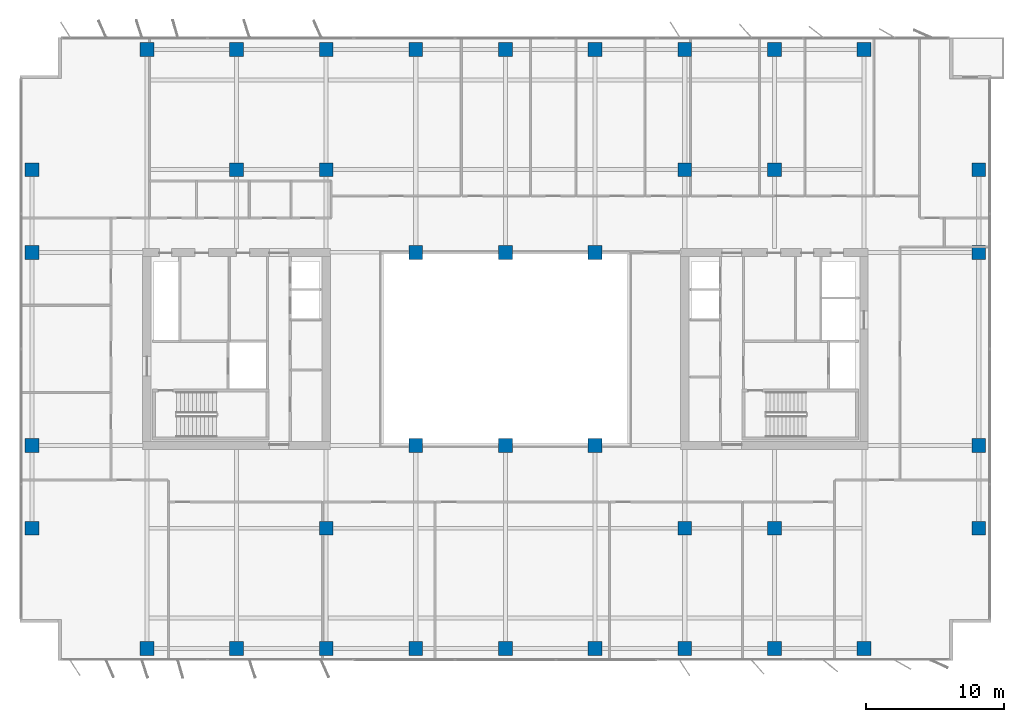
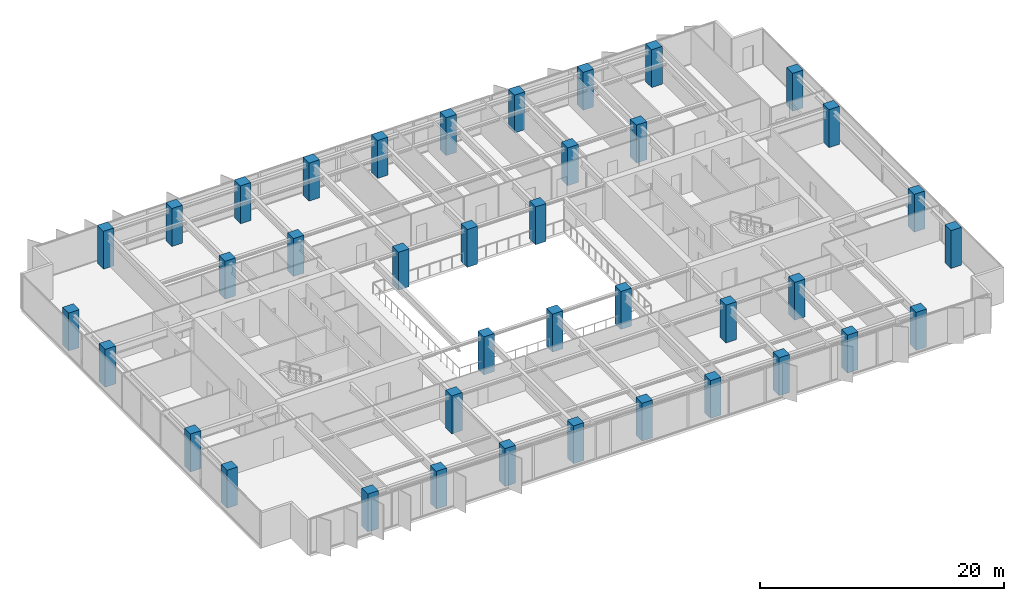
# One storey, part 1 of 22: 39 columns.
"""IFC4 building model written with IfcOpenShell, lengths in metres."""

from ifc_helpers import new_model, si_unit, direction, frame, origin, origin_2d, place, context, subcontext, project, spatial, rectangle, extrude, material, material_profile, profile_set, type_object, element, save


model = new_model("IFC4")

# Units and contexts
model_context = context("Model", 3, precision=1e-05, world=origin(), true_north=direction((0.0, 1.0)))
body_context = subcontext(model_context, "Body", "Model", "MODEL_VIEW")
ifc_project = project(units=[si_unit("LENGTHUNIT", "METRE"), si_unit("AREAUNIT", "SQUARE_METRE"), si_unit("VOLUMEUNIT", "CUBIC_METRE"), si_unit("PLANEANGLEUNIT", "RADIAN"), si_unit("MASSUNIT", "GRAM", prefix="KILO")], contexts=[model_context])

# Site, building, storey
site_placement = place(None, origin())
site = spatial("IfcSite", under=ifc_project, at=site_placement, CompositionType="ELEMENT")
building_placement = place(site_placement, origin())
building = spatial("IfcBuilding", under=site, at=building_placement, Name="Putna Gate Headquarters", CompositionType="ELEMENT")
storey_placement = place(building_placement, frame((0.0, 0.0, 193.60009765625)))
storey = spatial("IfcBuildingStorey", under=building, at=storey_placement, Name="L48", CompositionType="ELEMENT", Elevation=193.60009765625)

# Columns
ifc_material = material(Name="Concrete C50/60", Category="concrete")
ifc_material_profile_1 = material_profile(ifc_material, rectangle(XDim=1.0, YDim=1.0, at=origin_2d()), Name="Concrete C50/60")
ifc_profile_set_1 = profile_set([ifc_material_profile_1], Name="Concrete C50/60")
column_type_1 = type_object("IfcColumnType", Name="COL-RC1000-EXT", PredefinedType="COLUMN", material=ifc_profile_set_1)
for number, where, z_axis, x_axis, name in (
    (1, (13.0, 4.280029296875, 0.0), (0.0, 0.0, 1.0), (1.0, 0.0, 0.0), "L48 Column CP-S13"),
    (2, (13.0, 47.719970703125, 0.0), (0.0, 0.0, 1.0), (1.0, 0.0, 0.0), "L48 Column CP-N13"),
    (3, (19.5, 4.280029296875, 0.0), (0.0, 0.0, 1.0), (1.0, 0.0, 0.0), "L48 Column CP-S19"),
    (4, (19.5, 47.719970703125, 0.0), (0.0, 0.0, 1.0), (1.0, 0.0, 0.0), "L48 Column CP-N19"),
    (5, (26.0, 4.280029296875, 0.0), (0.0, 0.0, 1.0), (1.0, 0.0, 0.0), "L48 Column CP-S26"),
    (6, (26.0, 47.719970703125, 0.0), (0.0, 0.0, 1.0), (1.0, 0.0, 0.0), "L48 Column CP-N26"),
    (7, (32.5, 4.280029296875, 0.0), (0.0, 0.0, 1.0), (1.0, 0.0, 0.0), "L48 Column CP-S32"),
    (8, (32.5, 47.719970703125, 0.0), (0.0, 0.0, 1.0), (1.0, 0.0, 0.0), "L48 Column CP-N32"),
    (9, (39.0, 4.280029296875, 0.0), (0.0, 0.0, 1.0), (1.0, 0.0, 0.0), "L48 Column CP-S39"),
    (10, (39.0, 47.719970703125, 0.0), (0.0, 0.0, 1.0), (1.0, 0.0, 0.0), "L48 Column CP-N39"),
    (11, (45.5, 4.280029296875, 0.0), (0.0, 0.0, 1.0), (1.0, 0.0, 0.0), "L48 Column CP-S45"),
    (12, (45.5, 47.719970703125, 0.0), (0.0, 0.0, 1.0), (1.0, 0.0, 0.0), "L48 Column CP-N45"),
    (13, (52.0, 4.280029296875, 0.0), (0.0, 0.0, 1.0), (1.0, 0.0, 0.0), "L48 Column CP-S52"),
    (14, (52.0, 47.719970703125, 0.0), (0.0, 0.0, 1.0), (1.0, 0.0, 0.0), "L48 Column CP-N52"),
    (15, (58.5, 4.280029296875, 0.0), (0.0, 0.0, 1.0), (1.0, 0.0, 0.0), "L48 Column CP-S58"),
    (16, (58.5, 47.719970703125, 0.0), (0.0, 0.0, 1.0), (1.0, 0.0, 0.0), "L48 Column CP-N58"),
    (17, (65.0, 4.280029296875, 0.0), (0.0, 0.0, 1.0), (1.0, 0.0, 0.0), "L48 Column CP-S65"),
    (18, (65.0, 47.719970703125, 0.0), (0.0, 0.0, 1.0), (1.0, 0.0, 0.0), "L48 Column CP-N65"),
    (19, (4.679931640625, 13.0, 0.0), (0.0, 0.0, 1.0), (1.0, 0.0, 0.0), "L48 Column CP-W13"),
    (20, (73.320068359375, 13.0, 0.0), (0.0, 0.0, 1.0), (1.0, 0.0, 0.0), "L48 Column CP-E13"),
    (21, (4.679931640625, 19.0, 0.0), (0.0, 0.0, 1.0), (1.0, 0.0, 0.0), "L48 Column CP-W19"),
    (22, (73.320068359375, 19.0, 0.0), (0.0, 0.0, 1.0), (1.0, 0.0, 0.0), "L48 Column CP-E19"),
    (23, (4.679931640625, 33.0, 0.0), (0.0, 0.0, 1.0), (1.0, 0.0, 0.0), "L48 Column CP-W33"),
    (24, (73.320068359375, 33.0, 0.0), (0.0, 0.0, 1.0), (1.0, 0.0, 0.0), "L48 Column CP-E33"),
    (25, (4.679931640625, 39.0, 0.0), (0.0, 0.0, 1.0), (1.0, 0.0, 0.0), "L48 Column CP-W39"),
    (26, (73.320068359375, 39.0, 0.0), (0.0, 0.0, 1.0), (1.0, 0.0, 0.0), "L48 Column CP-E39"),
):
    element("IfcColumn", number, at=place(storey_placement, frame(where, z_axis=z_axis, x_axis=x_axis)), inside=storey, type_object=column_type_1, Name=name, PredefinedType="COLUMN", context=body_context, shape_type="SweptSolid", body=[
        extrude(rectangle(XDim=1.0, YDim=1.0, at=origin_2d()), origin(), (0.0, 0.0, 1.0), 3.7998046875),
    ])
ifc_material_profile_2 = material_profile(ifc_material, rectangle(XDim=1.0, YDim=1.0, at=origin_2d()), Name="Concrete C50/60")
ifc_profile_set_2 = profile_set([ifc_material_profile_2], Name="Concrete C50/60")
column_type_2 = type_object("IfcColumnType", Name="COL-RC1000-INT", PredefinedType="COLUMN", material=ifc_profile_set_2)
for number, where, z_axis, x_axis, name in (
    (27, (19.5, 39.0, 0.0), (0.0, 0.0, 1.0), (1.0, 0.0, 0.0), "L48 Column CSI-WN"),
    (28, (58.5, 13.0, 0.0), (0.0, 0.0, 1.0), (1.0, 0.0, 0.0), "L48 Column CSI-ES"),
    (29, (58.5, 39.0, 0.0), (0.0, 0.0, 1.0), (1.0, 0.0, 0.0), "L48 Column CSI-EN"),
    (30, (32.5, 19.0, 0.0), (0.0, 0.0, 1.0), (1.0, 0.0, 0.0), "L48 Column CAI-S32"),
    (31, (32.5, 33.0, 0.0), (0.0, 0.0, 1.0), (1.0, 0.0, 0.0), "L48 Column CAI-N32"),
    (32, (39.0, 19.0, 0.0), (0.0, 0.0, 1.0), (1.0, 0.0, 0.0), "L48 Column CAI-S39"),
    (33, (39.0, 33.0, 0.0), (0.0, 0.0, 1.0), (1.0, 0.0, 0.0), "L48 Column CAI-N39"),
    (34, (45.5, 19.0, 0.0), (0.0, 0.0, 1.0), (1.0, 0.0, 0.0), "L48 Column CAI-S45"),
    (35, (45.5, 33.0, 0.0), (0.0, 0.0, 1.0), (1.0, 0.0, 0.0), "L48 Column CAI-N45"),
    (36, (26.0, 13.0, 0.0), (0.0, 0.0, 1.0), (1.0, 0.0, 0.0), "L48 Column CAP-WS"),
    (37, (26.0, 39.0, 0.0), (0.0, 0.0, 1.0), (1.0, 0.0, 0.0), "L48 Column CAP-WN"),
    (38, (52.0, 13.0, 0.0), (0.0, 0.0, 1.0), (1.0, 0.0, 0.0), "L48 Column CAP-ES"),
    (39, (52.0, 39.0, 0.0), (0.0, 0.0, 1.0), (1.0, 0.0, 0.0), "L48 Column CAP-EN"),
):
    element("IfcColumn", number, at=place(storey_placement, frame(where, z_axis=z_axis, x_axis=x_axis)), inside=storey, type_object=column_type_2, Name=name, PredefinedType="COLUMN", context=body_context, shape_type="SweptSolid", body=[
        extrude(rectangle(XDim=1.0, YDim=1.0, at=origin_2d()), origin(), (0.0, 0.0, 1.0), 3.7998046875),
    ])

save(model, "model.ifc")
